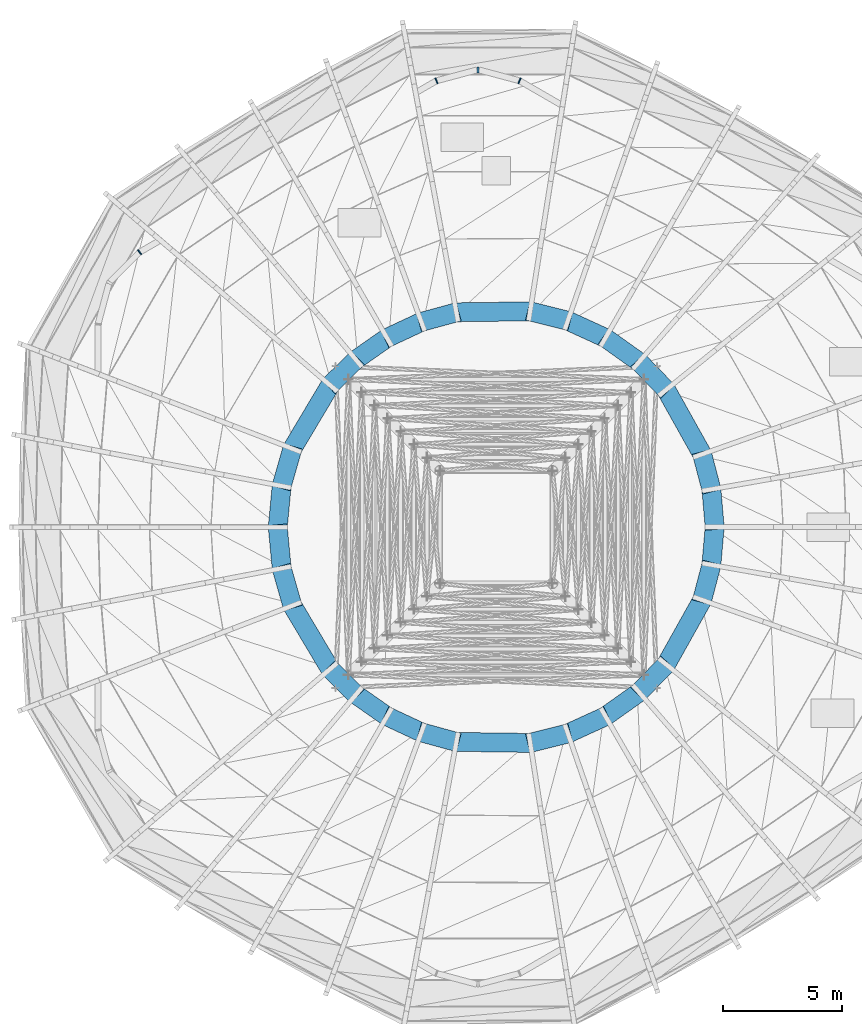
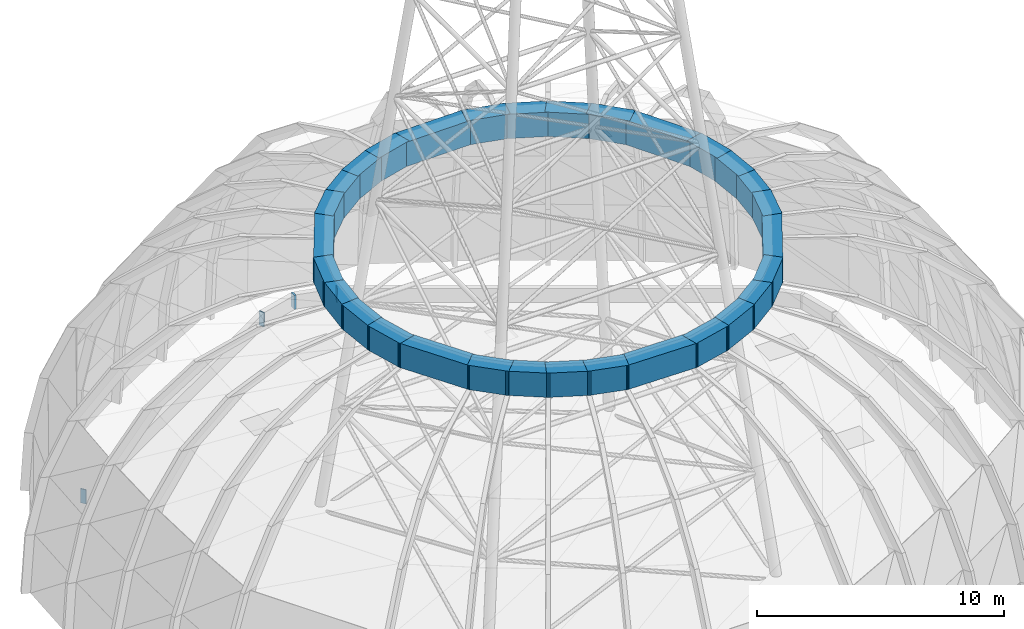
# One storey, part 6 of 27: 30 discrete accessories, 4 walls.
"""IFC4 building model written with IfcOpenShell, lengths in metres."""

import ifcopenshell
import ifcopenshell.guid

model = None  # the IFC model being written
_history = None  # IfcOwnerHistory: only IFC2X3 demands one
_inside = {}  # id of a spatial element -> (the spatial element, [elements in it])
_under = {}  # id of a project, library or spatial element -> (it, [spatial elements below it])
_declared = {}  # id of a project -> (the project, [libraries it declares])
_typed = {}  # id of a type object -> (the type object, [elements of that type])
_made_of = {}  # id of a material, layer set ... -> (it, [elements and type objects made of it])


def new_model(schema):
    """Start an empty IFC model of exactly this schema.

    Asked for "IFC4X3", IfcOpenShell would pick the latest addendum, in which some entities
    have other attributes; the version numbers below select the first issue.
    IFC2X3 requires an IfcOwnerHistory on every rooted entity: one is made here for all.
    """
    global model, _history
    if schema == "IFC4X3":
        model = ifcopenshell.file(schema_version=(4, 3, 0, 0))
    else:
        model = ifcopenshell.file(schema=schema)
    _inside.clear()
    _under.clear()
    _declared.clear()
    _typed.clear()
    _made_of.clear()
    _history = None
    if model.schema == "IFC2X3":
        org = make("IfcOrganization", Name="unknown")
        user = make(
            "IfcPersonAndOrganization",
            ThePerson=make("IfcPerson", FamilyName="unknown"),
            TheOrganization=org,
        )
        app = make(
            "IfcApplication",
            ApplicationDeveloper=org,
            Version="unknown",
            ApplicationFullName="unknown",
            ApplicationIdentifier="unknown",
        )
        _history = make(
            "IfcOwnerHistory",
            OwningUser=user,
            OwningApplication=app,
            ChangeAction="ADDED",
            CreationDate=0,
        )
    return model


def make(cls, **values):
    """One entity of the class cls with the attributes given. An attribute that is None is left unset."""
    return model.create_entity(
        cls, **{name: value for name, value in values.items() if value is not None}
    )


def rooted(cls, **values):
    """An entity with a GlobalId (a new one), such as an element, a storey or a relation."""
    return make(cls, GlobalId=ifcopenshell.guid.new(), OwnerHistory=_history, **values)


def si_unit(unit_type, name, prefix=None):
    """IfcSIUnit, for example si_unit("LENGTHUNIT", "METRE", prefix="MILLI")."""
    return make("IfcSIUnit", UnitType=unit_type, Prefix=prefix, Name=name)


def assignment(units):
    """IfcUnitAssignment: the units of a project."""
    return None if units is None else make("IfcUnitAssignment", Units=units)


def point(xyz):
    """IfcCartesianPoint."""
    return None if xyz is None else make("IfcCartesianPoint", Coordinates=xyz)


def direction(xyz):
    """IfcDirection."""
    return None if xyz is None else make("IfcDirection", DirectionRatios=xyz)


def frame(location, z_axis=None, x_axis=None):
    """IfcAxis2Placement3D, a coordinate frame: its origin and axes. An axis left out is left unset."""
    return make(
        "IfcAxis2Placement3D",
        Location=point(location),
        Axis=direction(z_axis),
        RefDirection=direction(x_axis),
    )


def frame_2d(location, x_axis=None):
    """IfcAxis2Placement2D, a coordinate frame in the plane: its origin and x axis."""
    return make(
        "IfcAxis2Placement2D", Location=point(location), RefDirection=direction(x_axis)
    )


def origin():
    """The frame at (0, 0, 0) with its axes left unset."""
    return frame((0.0, 0.0, 0.0))


def origin_2d():
    """The frame at (0, 0) in the plane with its x axis left unset."""
    return frame_2d((0.0, 0.0))


def place(relative_to, where):
    """IfcLocalPlacement: puts the frame where relative to a parent placement (None: the world)."""
    return make(
        "IfcLocalPlacement", PlacementRelTo=relative_to, RelativePlacement=where
    )


def context(
    kind, dimensions, precision=None, world=None, true_north=None, identifier=None
):
    """IfcGeometricRepresentationContext, for example the 3D "Model" context."""
    return make(
        "IfcGeometricRepresentationContext",
        ContextIdentifier=identifier,
        ContextType=kind,
        CoordinateSpaceDimension=dimensions,
        Precision=precision,
        WorldCoordinateSystem=world,
        TrueNorth=true_north,
    )


def subcontext(parent, identifier, kind, view, scale=None):
    """IfcGeometricRepresentationSubContext, for example "Body" below "Model"."""
    return make(
        "IfcGeometricRepresentationSubContext",
        ContextIdentifier=identifier,
        ContextType=kind,
        ParentContext=parent,
        TargetScale=scale,
        TargetView=view,
    )


def project(units=None, contexts=None):
    """IfcProject with its units and contexts."""
    return rooted(
        "IfcProject",
        Name="project",
        RepresentationContexts=contexts,
        UnitsInContext=assignment(units),
    )


def spatial(cls, under=None, at=None, **own):
    """A site, building, storey or space (cls), placed at a placement, below another one or the project."""
    s = rooted(cls, ObjectPlacement=at, **own)
    if under is not None:
        _under.setdefault(under.id(), (under, []))[1].append(s)
    return s


def profile(cls, at=None, kind="AREA", **sizes):
    """A parametric profile (cls). Its sizes go by their IFC names, for example OverallWidth=200.0."""
    return make(cls, ProfileType=kind, Position=at, **sizes)


def rectangle(**sizes):
    """IfcRectangleProfileDef."""
    return profile("IfcRectangleProfileDef", **sizes)


def extrude(swept, where, along, depth):
    """IfcExtrudedAreaSolid: the profile swept, set in the frame where, extruded along a direction by depth."""
    return make(
        "IfcExtrudedAreaSolid",
        SweptArea=swept,
        Position=where,
        ExtrudedDirection=direction(along),
        Depth=depth,
    )


def shape(context_of_items, identifier, shape_type, items):
    """IfcShapeRepresentation: the items that make up one representation, for example the "Body"."""
    return make(
        "IfcShapeRepresentation",
        ContextOfItems=context_of_items,
        RepresentationIdentifier=identifier,
        RepresentationType=shape_type,
        Items=items,
    )


def material(Name=None, Category=None):
    """IfcMaterial."""
    return make("IfcMaterial", Name=Name, Category=Category)


def layer(
    of_material, thickness, ventilated=None, Name=None, Category=None, Priority=None
):
    """IfcMaterialLayer: one layer of a wall or slab, of a material (None: an air gap)."""
    return make(
        "IfcMaterialLayer",
        Material=of_material,
        LayerThickness=thickness,
        IsVentilated=ventilated,
        Name=Name,
        Category=Category,
        Priority=Priority,
    )


def layer_set(layers, Name=None):
    """IfcMaterialLayerSet."""
    return make("IfcMaterialLayerSet", MaterialLayers=layers, LayerSetName=Name)


def made_of(thing, what):
    """Note that an element or type object is made of a material, layer set ...; save() writes the relation."""
    if what is not None:
        _made_of.setdefault(what.id(), (what, []))[1].append(thing)
    return thing


def type_object(cls, material=None, **own):
    """A type object (cls), such as IfcWallType, which elements share."""
    return made_of(rooted(cls, **own), material)


def element(
    cls,
    number,
    at=None,
    inside=None,
    cuts=None,
    type_object=None,
    material=None,
    context=None,
    identifier="Body",
    shape_type=None,
    held_by="IfcProductDefinitionShape",
    body=None,
    shapes=None,
    **own,
):
    """One element of the class cls, such as IfcWall. Its Tag is "e" and its number.

    at: its placement. inside: the storey or other place that contains it. cuts: it is an
    opening in that element (IfcRelVoidsElement). A single representation is given by context,
    identifier, shape_type and body (its items); several are given by shapes. held_by: the class
    of the entity that holds the representations. save() writes the other relations.
    """
    e = rooted(cls, Tag="e%d" % number, ObjectPlacement=at, **own)
    if body is not None:
        shapes = [shape(context, identifier, shape_type, body)]
    if shapes is not None:
        e.Representation = make(held_by, Representations=shapes)
    if inside is not None:
        _inside.setdefault(inside.id(), (inside, []))[1].append(e)
    if cuts is not None:
        rooted(
            "IfcRelVoidsElement", RelatingBuildingElement=cuts, RelatedOpeningElement=e
        )
    if type_object is not None:
        _typed.setdefault(type_object.id(), (type_object, []))[1].append(e)
    return made_of(e, material)


def aggregate(whole, parts):
    """IfcRelAggregates: a whole, such as a stair, and the parts it consists of."""
    return rooted("IfcRelAggregates", RelatingObject=whole, RelatedObjects=parts)


def save(model, path):
    """Write the relations noted so far, then the file.

    IfcRelAggregates (storeys below a building ...), IfcRelContainedInSpatialStructure (elements
    in a storey), IfcRelDefinesByType, IfcRelAssociatesMaterial and IfcRelDeclares: one each for
    every whole, place, type object, material and project.
    """
    for whole, parts in _under.values():
        aggregate(whole, parts)
    for where, things in _inside.values():
        rooted(
            "IfcRelContainedInSpatialStructure",
            RelatedElements=things,
            RelatingStructure=where,
        )
    for kind, things in _typed.values():
        rooted("IfcRelDefinesByType", RelatedObjects=things, RelatingType=kind)
    for what, things in _made_of.values():
        rooted("IfcRelAssociatesMaterial", RelatedObjects=things, RelatingMaterial=what)
    for by, libraries in _declared.values():
        rooted("IfcRelDeclares", RelatingContext=by, RelatedDefinitions=libraries)
    model.write(path)


model = new_model("IFC4")

# Units and contexts
model_context = context("Model", 3, precision=1e-05, world=origin(), true_north=direction((0.0, 1.0)))
body_context = subcontext(model_context, "Body", "Model", "MODEL_VIEW")
ifc_project = project(units=[si_unit("LENGTHUNIT", "METRE"), si_unit("AREAUNIT", "SQUARE_METRE"), si_unit("VOLUMEUNIT", "CUBIC_METRE"), si_unit("PLANEANGLEUNIT", "RADIAN"), si_unit("MASSUNIT", "GRAM", prefix="KILO")], contexts=[model_context])

# Site, building, storey
site_placement = place(None, origin())
site = spatial("IfcSite", under=ifc_project, at=site_placement, CompositionType="ELEMENT")
building_placement = place(site_placement, origin())
building = spatial("IfcBuilding", under=site, at=building_placement, Name="Ayvan Gate Tower", CompositionType="ELEMENT")
storey_placement = place(building_placement, frame((0.0, 0.0, 267.699951171875)))
storey = spatial("IfcBuildingStorey", under=building, at=storey_placement, Name="Roof", CompositionType="ELEMENT", Elevation=267.699951171875)

# Walls
ifc_material_1 = material(Name="Pale metal cladding on insulated wall")
ifc_layer_1 = layer(ifc_material_1, 0.25)
ifc_layer_set_1 = layer_set([ifc_layer_1], Name="Pale metal cladding on insulated wall")
wall_type = type_object("IfcWallType", Name="Parapet wall 250", PredefinedType="PARAPET", material=ifc_layer_set_1)
wall_1_placement = place(storey_placement, frame((1.004150390625, 18.783935546875, 0.300048828125), z_axis=(0.0, 0.0, 1.0), x_axis=(-0.923224500114, 0.384261008156, 0.0)))
element("IfcWall", 1, at=wall_1_placement, inside=storey, type_object=wall_type, Name="EW:parapet:00", PredefinedType="PARAPET", context=body_context, shape_type="SweptSolid", body=[
    extrude(rectangle(XDim=0.048828125, YDim=0.25, at=frame_2d((0.0244140625, 0.0))), origin(), (0.0, 0.0, 1.0), 0.699951171875),
])
wall_2_placement = place(storey_placement, frame((-0.7197265625, 19.25244140625, 0.300048828125), z_axis=(0.0, 0.0, 1.0), x_axis=(-1.0, 0.0, 0.0)))
element("IfcWall", 2, at=wall_2_placement, inside=storey, type_object=wall_type, Name="EW:parapet:02", PredefinedType="PARAPET", context=body_context, shape_type="SweptSolid", body=[
    extrude(rectangle(XDim=0.096435546875, YDim=0.25, at=frame_2d((0.04833984375, 0.0))), origin(), (0.0, 0.0, 1.0), 0.699951171875),
])
for number, where, z_axis, x_axis, name in (
    (3, (-2.4951171875, 18.802734375, 0.300048828125), (0.0, 0.0, 1.0), (-0.923224500114, -0.384261008156, 0.0), "EW:parapet:04"),
    (4, (-14.997314453125, 11.591796875, 0.300048828125), (0.0, 0.0, 1.0), (-0.795776260466, -0.605590739096, 0.0), "EW:parapet:06"),
):
    element("IfcWall", number, at=place(storey_placement, frame(where, z_axis=z_axis, x_axis=x_axis)), inside=storey, type_object=wall_type, Name=name, PredefinedType="PARAPET", context=body_context, shape_type="SweptSolid", body=[
        extrude(rectangle(XDim=0.048828125, YDim=0.25, at=frame_2d((0.0244140625, 0.0))), origin(), (0.0, 0.0, 1.0), 0.699951171875),
    ])

# Discrete accessories
ifc_material_2 = material(Name="Bronze anodised aluminium", Category="aluminium")
ifc_layer_2 = layer(ifc_material_2, 1.199951171875)
ifc_layer_set_2 = layer_set([ifc_layer_2], Name="Bronze anodised aluminium")
discrete_accessory_type = type_object("IfcDiscreteAccessoryType", Name="Crown collar segment", PredefinedType="BRACKET", material=ifc_layer_set_2)
discrete_accessory_1_placement = place(storey_placement, frame((-9.11767578125, -0.866455078125, 14.0), z_axis=(0.0, 0.0, 1.0), x_axis=(0.094605566761, -0.995514835016, 0.0)))
element("IfcDiscreteAccessory", 5, at=discrete_accessory_1_placement, inside=storey, type_object=discrete_accessory_type, Name="CROWN FRAME collar 1", PredefinedType="BRACKET", context=body_context, shape_type="SweptSolid", body=[
    extrude(rectangle(XDim=1.940673828125, YDim=0.800048828125, at=origin_2d()), origin(), (0.0, 0.0, 1.0), 1.199951171875),
])
discrete_accessory_2_placement = place(storey_placement, frame((-8.810302734375, -2.51953125, 14.0), z_axis=(0.0, 0.0, 1.0), x_axis=(0.274947255152, -0.961459311091, 0.0)))
element("IfcDiscreteAccessory", 6, at=discrete_accessory_2_placement, inside=storey, type_object=discrete_accessory_type, Name="CROWN FRAME collar 2", PredefinedType="BRACKET", context=body_context, shape_type="SweptSolid", body=[
    extrude(rectangle(XDim=1.836181640625, YDim=0.800048828125, at=origin_2d()), origin(), (0.0, 0.0, 1.0), 1.199951171875),
])
discrete_accessory_3_placement = place(storey_placement, frame((-7.790283203125, -4.640869140625, 14.0), z_axis=(0.0, 0.0, 1.0), x_axis=(0.511786061784, -0.859112930274, 0.0)))
element("IfcDiscreteAccessory", 7, at=discrete_accessory_3_placement, inside=storey, type_object=discrete_accessory_type, Name="CROWN FRAME collar 3", PredefinedType="BRACKET", context=body_context, shape_type="SweptSolid", body=[
    extrude(rectangle(XDim=3.30712890625, YDim=0.800048828125, at=origin_2d()), origin(), (0.0, 0.0, 1.0), 1.199951171875),
])
discrete_accessory_4_placement = place(storey_placement, frame((-6.45166015625, -6.513916015625, 14.0), z_axis=(0.0, 0.0, 1.0), x_axis=(0.710487099313, -0.703710225668, 0.0)))
element("IfcDiscreteAccessory", 8, at=discrete_accessory_4_placement, inside=storey, type_object=discrete_accessory_type, Name="CROWN FRAME collar 4", PredefinedType="BRACKET", context=body_context, shape_type="SweptSolid", body=[
    extrude(rectangle(XDim=1.72998046875, YDim=0.800048828125, at=origin_2d()), origin(), (0.0, 0.0, 1.0), 1.199951171875),
])
for number, where, z_axis, x_axis, name in (
    (9, (-5.254150390625, -7.509765625, 14.0), (0.0, 0.0, 1.0), (0.819374752313, -0.573258244835, 0.0), "CROWN FRAME collar 5"),
    (10, (-3.87646484375, -8.30517578125, 14.0), (0.0, 0.0, 1.0), (0.906147148452, -0.422962581504, 0.0), "CROWN FRAME collar 6"),
):
    element("IfcDiscreteAccessory", number, at=place(storey_placement, frame(where, z_axis=z_axis, x_axis=x_axis)), inside=storey, type_object=discrete_accessory_type, Name=name, PredefinedType="BRACKET", context=body_context, shape_type="SweptSolid", body=[
        extrude(rectangle(XDim=1.796630859375, YDim=0.800048828125, at=origin_2d()), origin(), (0.0, 0.0, 1.0), 1.199951171875),
    ])
discrete_accessory_5_placement = place(storey_placement, frame((-2.415283203125, -8.84423828125, 14.0), z_axis=(0.0, 0.0, 1.0), x_axis=(0.964676078066, -0.263438919688, 0.0)))
element("IfcDiscreteAccessory", 11, at=discrete_accessory_5_placement, inside=storey, type_object=discrete_accessory_type, Name="CROWN FRAME collar 7", PredefinedType="BRACKET", context=body_context, shape_type="SweptSolid", body=[
    extrude(rectangle(XDim=1.72998046875, YDim=0.800048828125, at=origin_2d()), origin(), (0.0, 0.0, 1.0), 1.199951171875),
])
discrete_accessory_6_placement = place(storey_placement, frame((-0.123779296875, -9.067138671875, 14.0), z_axis=(0.0, 0.0, 1.0), x_axis=(0.999906718353, -0.013658498924, 0.0)))
element("IfcDiscreteAccessory", 12, at=discrete_accessory_6_placement, inside=storey, type_object=discrete_accessory_type, Name="CROWN FRAME collar 8", PredefinedType="BRACKET", context=body_context, shape_type="SweptSolid", body=[
    extrude(rectangle(XDim=3.30712890625, YDim=0.800048828125, at=origin_2d()), origin(), (0.0, 0.0, 1.0), 1.199951171875),
])
discrete_accessory_7_placement = place(storey_placement, frame((2.223388671875, -8.8896484375, 14.0), z_axis=(0.0, 0.0, 1.0), x_axis=(0.970119581601, 0.242627280813, 0.0)))
element("IfcDiscreteAccessory", 13, at=discrete_accessory_7_placement, inside=storey, type_object=discrete_accessory_type, Name="CROWN FRAME collar 9", PredefinedType="BRACKET", context=body_context, shape_type="SweptSolid", body=[
    extrude(rectangle(XDim=1.83642578125, YDim=0.800048828125, at=origin_2d()), origin(), (0.0, 0.0, 1.0), 1.199951171875),
])
for number, where, z_axis, x_axis, name in (
    (14, (3.80859375, -8.329345703125, 14.0), (0.0, 0.0, 1.0), (0.909438547195, 0.415838344645, 0.0), "CROWN FRAME collar 10"),
    (15, (5.309326171875, -7.462890625, 14.0), (0.0, 0.0, 1.0), (0.814838353588, 0.579688241663, 0.0), "CROWN FRAME collar 11"),
):
    element("IfcDiscreteAccessory", number, at=place(storey_placement, frame(where, z_axis=z_axis, x_axis=x_axis)), inside=storey, type_object=discrete_accessory_type, Name=name, PredefinedType="BRACKET", context=body_context, shape_type="SweptSolid", body=[
        extrude(rectangle(XDim=1.940673828125, YDim=0.800048828125, at=origin_2d()), origin(), (0.0, 0.0, 1.0), 1.199951171875),
    ])
discrete_accessory_8_placement = place(storey_placement, frame((6.587158203125, -6.370361328125, 14.0), z_axis=(0.0, 0.0, 1.0), x_axis=(0.695174560534, 0.718840963208, 0.0)))
element("IfcDiscreteAccessory", 16, at=discrete_accessory_8_placement, inside=storey, type_object=discrete_accessory_type, Name="CROWN FRAME collar 12", PredefinedType="BRACKET", context=body_context, shape_type="SweptSolid", body=[
    extrude(rectangle(XDim=1.836181640625, YDim=0.800048828125, at=origin_2d()), origin(), (0.0, 0.0, 1.0), 1.199951171875),
])
discrete_accessory_9_placement = place(storey_placement, frame((7.914306640625, -4.42626953125, 14.0), z_axis=(0.0, 0.0, 1.0), x_axis=(0.488120591444, 0.872776195945, 0.0)))
element("IfcDiscreteAccessory", 17, at=discrete_accessory_9_placement, inside=storey, type_object=discrete_accessory_type, Name="CROWN FRAME collar 13", PredefinedType="BRACKET", context=body_context, shape_type="SweptSolid", body=[
    extrude(rectangle(XDim=3.30712890625, YDim=0.800048828125, at=origin_2d()), origin(), (0.0, 0.0, 1.0), 1.199951171875),
])
discrete_accessory_10_placement = place(storey_placement, frame((8.866943359375, -2.330322265625, 14.0), z_axis=(0.0, 0.0, 1.0), x_axis=(0.254187382675, 0.9671549899, 0.0)))
element("IfcDiscreteAccessory", 18, at=discrete_accessory_10_placement, inside=storey, type_object=discrete_accessory_type, Name="CROWN FRAME collar 14", PredefinedType="BRACKET", context=body_context, shape_type="SweptSolid", body=[
    extrude(rectangle(XDim=1.72998046875, YDim=0.800048828125, at=origin_2d()), origin(), (0.0, 0.0, 1.0), 1.199951171875),
])
for number, where, z_axis, x_axis, name in (
    (19, (9.130615234375, -0.795166015625, 14.0), (0.0, 0.0, 1.0), (0.086768826799, 0.996228473141, 0.0), "CROWN FRAME collar 15"),
    (20, (9.130615234375, 0.79541015625, 14.0), (0.0, 0.0, 1.0), (-0.086777233793, 0.996227740878, 0.0), "CROWN FRAME collar 16"),
):
    element("IfcDiscreteAccessory", number, at=place(storey_placement, frame(where, z_axis=z_axis, x_axis=x_axis)), inside=storey, type_object=discrete_accessory_type, Name=name, PredefinedType="BRACKET", context=body_context, shape_type="SweptSolid", body=[
        extrude(rectangle(XDim=1.796630859375, YDim=0.800048828125, at=origin_2d()), origin(), (0.0, 0.0, 1.0), 1.199951171875),
    ])
discrete_accessory_11_placement = place(storey_placement, frame((8.866943359375, 2.33056640625, 14.0), z_axis=(0.0, 0.0, 1.0), x_axis=(-0.254193242238, 0.967153449873, 0.0)))
element("IfcDiscreteAccessory", 21, at=discrete_accessory_11_placement, inside=storey, type_object=discrete_accessory_type, Name="CROWN FRAME collar 17", PredefinedType="BRACKET", context=body_context, shape_type="SweptSolid", body=[
    extrude(rectangle(XDim=1.72998046875, YDim=0.800048828125, at=origin_2d()), origin(), (0.0, 0.0, 1.0), 1.199951171875),
])
discrete_accessory_12_placement = place(storey_placement, frame((7.914306640625, 4.42626953125, 14.0), z_axis=(0.0, 0.0, 1.0), x_axis=(-0.488124752131, 0.87277386897, 0.0)))
element("IfcDiscreteAccessory", 22, at=discrete_accessory_12_placement, inside=storey, type_object=discrete_accessory_type, Name="CROWN FRAME collar 18", PredefinedType="BRACKET", context=body_context, shape_type="SweptSolid", body=[
    extrude(rectangle(XDim=3.30712890625, YDim=0.800048828125, at=origin_2d()), origin(), (0.0, 0.0, 1.0), 1.199951171875),
])
discrete_accessory_13_placement = place(storey_placement, frame((6.587158203125, 6.370361328125, 14.0), z_axis=(0.0, 0.0, 1.0), x_axis=(-0.695181179636, 0.718834561968, 0.0)))
element("IfcDiscreteAccessory", 23, at=discrete_accessory_13_placement, inside=storey, type_object=discrete_accessory_type, Name="CROWN FRAME collar 19", PredefinedType="BRACKET", context=body_context, shape_type="SweptSolid", body=[
    extrude(rectangle(XDim=1.83642578125, YDim=0.800048828125, at=origin_2d()), origin(), (0.0, 0.0, 1.0), 1.199951171875),
])
for number, where, z_axis, x_axis, name in (
    (24, (5.30908203125, 7.462890625, 14.0), (0.0, 0.0, 1.0), (-0.814845843927, 0.579677712729, 0.0), "CROWN FRAME collar 20"),
    (25, (3.808349609375, 8.329345703125, 14.0), (0.0, 0.0, 1.0), (-0.909443920349, 0.415826593354, 0.0), "CROWN FRAME collar 21"),
):
    element("IfcDiscreteAccessory", number, at=place(storey_placement, frame(where, z_axis=z_axis, x_axis=x_axis)), inside=storey, type_object=discrete_accessory_type, Name=name, PredefinedType="BRACKET", context=body_context, shape_type="SweptSolid", body=[
        extrude(rectangle(XDim=1.940673828125, YDim=0.800048828125, at=origin_2d()), origin(), (0.0, 0.0, 1.0), 1.199951171875),
    ])
discrete_accessory_14_placement = place(storey_placement, frame((2.22314453125, 8.8896484375, 14.0), z_axis=(0.0, 0.0, 1.0), x_axis=(-0.970121815686, 0.242618347883, 0.0)))
element("IfcDiscreteAccessory", 26, at=discrete_accessory_14_placement, inside=storey, type_object=discrete_accessory_type, Name="CROWN FRAME collar 22", PredefinedType="BRACKET", context=body_context, shape_type="SweptSolid", body=[
    extrude(rectangle(XDim=1.836181640625, YDim=0.800048828125, at=origin_2d()), origin(), (0.0, 0.0, 1.0), 1.199951171875),
])
discrete_accessory_15_placement = place(storey_placement, frame((-0.123779296875, 9.067138671875, 14.0), z_axis=(0.0, 0.0, 1.0), x_axis=(-0.999906653229, -0.013663265671, 0.0)))
element("IfcDiscreteAccessory", 27, at=discrete_accessory_15_placement, inside=storey, type_object=discrete_accessory_type, Name="CROWN FRAME collar 23", PredefinedType="BRACKET", context=body_context, shape_type="SweptSolid", body=[
    extrude(rectangle(XDim=3.30712890625, YDim=0.800048828125, at=origin_2d()), origin(), (0.0, 0.0, 1.0), 1.199951171875),
])
discrete_accessory_16_placement = place(storey_placement, frame((-2.415283203125, 8.84423828125, 14.0), z_axis=(0.0, 0.0, 1.0), x_axis=(-0.964674481988, -0.263444764233, 0.0)))
element("IfcDiscreteAccessory", 28, at=discrete_accessory_16_placement, inside=storey, type_object=discrete_accessory_type, Name="CROWN FRAME collar 24", PredefinedType="BRACKET", context=body_context, shape_type="SweptSolid", body=[
    extrude(rectangle(XDim=1.72998046875, YDim=0.800048828125, at=origin_2d()), origin(), (0.0, 0.0, 1.0), 1.199951171875),
])
for number, where, z_axis, x_axis, name in (
    (29, (-3.876708984375, 8.30517578125, 14.0), (0.0, 0.0, 1.0), (-0.906143579113, -0.422970228305, 0.0), "CROWN FRAME collar 25"),
    (30, (-5.254150390625, 7.509765625, 14.0), (0.0, 0.0, 1.0), (-0.819369914659, -0.573265159374, 0.0), "CROWN FRAME collar 26"),
):
    element("IfcDiscreteAccessory", number, at=place(storey_placement, frame(where, z_axis=z_axis, x_axis=x_axis)), inside=storey, type_object=discrete_accessory_type, Name=name, PredefinedType="BRACKET", context=body_context, shape_type="SweptSolid", body=[
        extrude(rectangle(XDim=1.796630859375, YDim=0.800048828125, at=origin_2d()), origin(), (0.0, 0.0, 1.0), 1.199951171875),
    ])
discrete_accessory_17_placement = place(storey_placement, frame((-6.45166015625, 6.513916015625, 14.0), z_axis=(0.0, 0.0, 1.0), x_axis=(-0.710482835829, -0.703714530185, 0.0)))
element("IfcDiscreteAccessory", 31, at=discrete_accessory_17_placement, inside=storey, type_object=discrete_accessory_type, Name="CROWN FRAME collar 27", PredefinedType="BRACKET", context=body_context, shape_type="SweptSolid", body=[
    extrude(rectangle(XDim=1.72998046875, YDim=0.800048828125, at=origin_2d()), origin(), (0.0, 0.0, 1.0), 1.199951171875),
])
discrete_accessory_18_placement = place(storey_placement, frame((-7.790283203125, 4.640869140625, 14.0), z_axis=(0.0, 0.0, 1.0), x_axis=(-0.511781966222, -0.859115370046, 0.0)))
element("IfcDiscreteAccessory", 32, at=discrete_accessory_18_placement, inside=storey, type_object=discrete_accessory_type, Name="CROWN FRAME collar 28", PredefinedType="BRACKET", context=body_context, shape_type="SweptSolid", body=[
    extrude(rectangle(XDim=3.30712890625, YDim=0.800048828125, at=origin_2d()), origin(), (0.0, 0.0, 1.0), 1.199951171875),
])
discrete_accessory_19_placement = place(storey_placement, frame((-8.810302734375, 2.51953125, 14.0), z_axis=(0.0, 0.0, 1.0), x_axis=(-0.274938401965, -0.961461842782, 0.0)))
element("IfcDiscreteAccessory", 33, at=discrete_accessory_19_placement, inside=storey, type_object=discrete_accessory_type, Name="CROWN FRAME collar 29", PredefinedType="BRACKET", context=body_context, shape_type="SweptSolid", body=[
    extrude(rectangle(XDim=1.83642578125, YDim=0.800048828125, at=origin_2d()), origin(), (0.0, 0.0, 1.0), 1.199951171875),
])
discrete_accessory_20_placement = place(storey_placement, frame((-9.11767578125, 0.866455078125, 14.0), z_axis=(0.0, 0.0, 1.0), x_axis=(-0.094592703267, -0.995516057374, 0.0)))
element("IfcDiscreteAccessory", 34, at=discrete_accessory_20_placement, inside=storey, type_object=discrete_accessory_type, Name="CROWN FRAME collar 30", PredefinedType="BRACKET", context=body_context, shape_type="SweptSolid", body=[
    extrude(rectangle(XDim=1.940673828125, YDim=0.800048828125, at=origin_2d()), origin(), (0.0, 0.0, 1.0), 1.199951171875),
])

save(model, "model.ifc")
